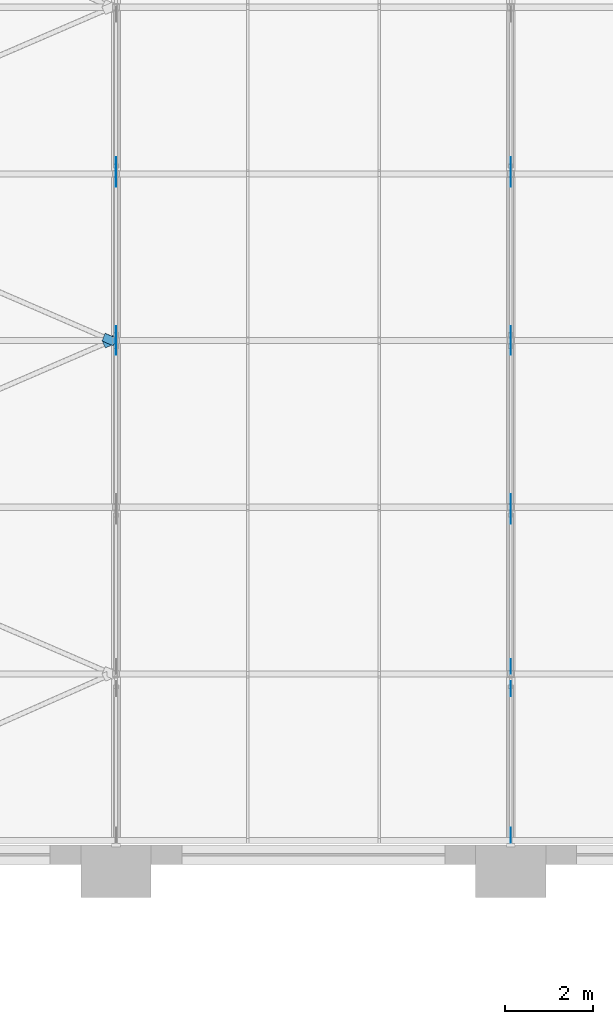
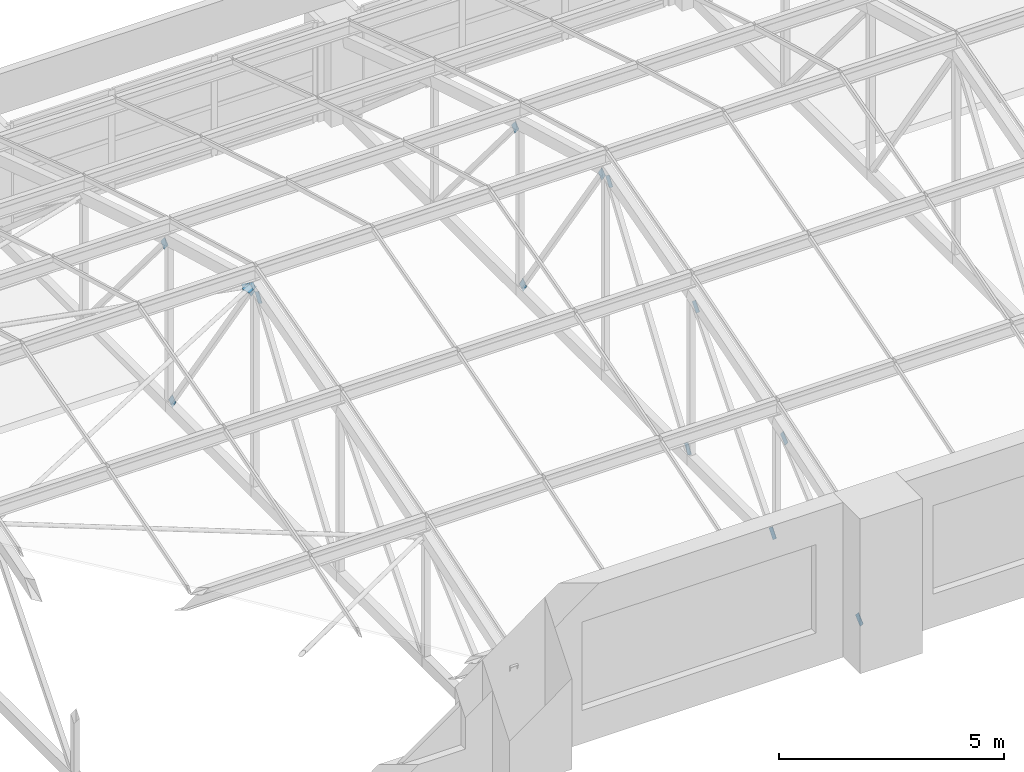
# One storey, part 69 of 82: 15 discrete accessories.
"""IFC4 building model written with IfcOpenShell, lengths in metres."""

from ifc_helpers import new_model, si_unit, direction, frame, origin, place, context, subcontext, project, spatial, polyline, outline, extrude, material, layer, layer_set, type_object, element, save


model = new_model("IFC4")

# Units and contexts
model_context = context("Model", 3, precision=1e-05, world=origin(), true_north=direction((0.0, 1.0)))
body_context = subcontext(model_context, "Body", "Model", "MODEL_VIEW")
ifc_project = project(units=[si_unit("LENGTHUNIT", "METRE"), si_unit("AREAUNIT", "SQUARE_METRE"), si_unit("VOLUMEUNIT", "CUBIC_METRE"), si_unit("PLANEANGLEUNIT", "RADIAN"), si_unit("MASSUNIT", "GRAM", prefix="KILO")], contexts=[model_context])

# Site, building, storey
site_placement = place(None, origin())
site = spatial("IfcSite", under=ifc_project, at=site_placement, CompositionType="ELEMENT")
building_placement = place(site_placement, origin())
building = spatial("IfcBuilding", under=site, at=building_placement, Name="Aravalli Gate Trade Fair Centre", CompositionType="ELEMENT")
storey_placement = place(building_placement, frame((0.0, 0.0, 19.199951171875)))
storey = spatial("IfcBuildingStorey", under=building, at=storey_placement, Name="L04", CompositionType="ELEMENT", Elevation=19.199951171875)

# Discrete accessories
ifc_material = material(Name="Steel E350", Category="steel")
ifc_layer = layer(ifc_material, 0.010009765625)
ifc_layer_set = layer_set([ifc_layer], Name="Steel E350")
discrete_accessory_type = type_object("IfcDiscreteAccessoryType", Name="Gusset plate 200 x 200 x 10", PredefinedType="USERDEFINED", material=ifc_layer_set)
discrete_accessory_1_placement = place(storey_placement, frame((77.9951171875, 120.77392578125, 5.423828125), z_axis=(-1.0, 0.0, 0.0), x_axis=(0.0, 0.564121160258, 0.82569202282)))
element("IfcDiscreteAccessory", 1, at=discrete_accessory_1_placement, inside=storey, type_object=discrete_accessory_type, Name="Gusset plate Concourse vault truss CT1 line 09 diagonal D3 end B", ObjectType="GUSSET PLATE", PredefinedType="USERDEFINED", context=body_context, shape_type="SweptSolid", body=[
    extrude(outline(polyline([(0.0, 0.0), (0.2800089688227054, -2.7755575615628914e-17), (0.2801803266875835, 0.19976261286755298), (0.00010749779101053292, 0.20010192272670302), (0.0, 0.0)])), origin(), (0.0, 0.0, -1.0), 0.010009765625),
])
discrete_accessory_2_placement = place(storey_placement, frame((77.9951171875, 121.2607421875, 5.31103515625), z_axis=(-1.0, 0.0, 0.0), x_axis=(0.0, -0.563120416317, 0.826374852429)))
element("IfcDiscreteAccessory", 2, at=discrete_accessory_2_placement, inside=storey, type_object=discrete_accessory_type, Name="Gusset plate Concourse vault truss CT1 line 09 diagonal D4 end A", ObjectType="GUSSET PLATE", PredefinedType="USERDEFINED", context=body_context, shape_type="SweptSolid", body=[
    extrude(outline(polyline([(0.0, 0.0), (0.28007303443443027, 0.0), (0.2800062095132191, 0.19996442554114646), (0.00013492675174497926, 0.20010190611153644), (0.0, 0.0)])), origin(), (0.0, 0.0, -1.0), 0.010009765625),
])
discrete_accessory_3_placement = place(storey_placement, frame((78.0048828125, 124.602294921875, 0.408935546875), z_axis=(1.0, 0.0, 0.0), x_axis=(0.0, 0.563526286674, -0.826098132323)))
element("IfcDiscreteAccessory", 3, at=discrete_accessory_3_placement, inside=storey, type_object=discrete_accessory_type, Name="Gusset plate Concourse vault truss CT1 line 09 diagonal D4 end B", ObjectType="GUSSET PLATE", PredefinedType="USERDEFINED", context=body_context, shape_type="SweptSolid", body=[
    extrude(outline(polyline([(0.0, 0.0), (0.279871316528615, 0.0), (0.2800363695260922, 0.19996436858870342), (-3.6631116859461854e-05, 0.20010194824853597), (0.0, 0.0)])), origin(), (0.0, 0.0, -1.0), 0.010009765625),
])
discrete_accessory_4_placement = place(storey_placement, frame((77.9951171875, 125.128662109375, 4.24560546875), z_axis=(-1.0, 0.0, 0.0), x_axis=(0.0, -0.643008166301, 0.765859320025)))
element("IfcDiscreteAccessory", 4, at=discrete_accessory_4_placement, inside=storey, type_object=discrete_accessory_type, Name="Gusset plate Concourse vault truss CT1 line 09 diagonal D5 end A", ObjectType="GUSSET PLATE", PredefinedType="USERDEFINED", context=body_context, shape_type="SweptSolid", body=[
    extrude(outline(polyline([(0.0, 0.0), (0.28020760962713065, 0.0), (0.2803154566443524, 0.19996559992596197), (0.00010784701722174606, 0.19996559992596197), (0.0, 0.0)])), origin(), (0.0, 0.0, -1.0), 0.010009765625),
])
discrete_accessory_5_placement = place(storey_placement, frame((86.9951171875, 109.990234375, 0.355224609375), z_axis=(-1.0, 0.0, 0.0), x_axis=(0.0, -0.756666176812, -0.653801420057)))
element("IfcDiscreteAccessory", 5, at=discrete_accessory_5_placement, inside=storey, type_object=discrete_accessory_type, Name="Gusset plate Concourse vault truss CT1 line 10 diagonal D1 end A", ObjectType="GUSSET PLATE", PredefinedType="USERDEFINED", context=body_context, shape_type="SweptSolid", body=[
    extrude(outline(polyline([(0.0, 0.0), (0.28006281897354945, 0.0), (0.28009048635135136, 0.1997461238225559), (5.27808438066657e-05, 0.2000904762631978), (0.0, 0.0)])), origin(), (0.0, 0.0, -1.0), 0.010009765625),
])
discrete_accessory_6_placement = place(storey_placement, frame((86.9951171875, 112.988525390625, 3.212158203125), z_axis=(-1.0, 0.0, 0.0), x_axis=(0.0, 0.756293179151, 0.654232853937)))
element("IfcDiscreteAccessory", 6, at=discrete_accessory_6_placement, inside=storey, type_object=discrete_accessory_type, Name="Gusset plate Concourse vault truss CT1 line 10 diagonal D1 end B", ObjectType="GUSSET PLATE", PredefinedType="USERDEFINED", context=body_context, shape_type="SweptSolid", body=[
    extrude(outline(polyline([(0.0, 0.0), (0.2798781315371493, 0.0), (0.27981679720709274, 0.20009047382409476), (-6.133433005656164e-05, 0.20009047382409473), (0.0, 0.0)])), origin(), (0.0, 0.0, -1.0), 0.010009765625),
])
discrete_accessory_7_placement = place(storey_placement, frame((87.0048828125, 113.677978515625, 0.517578125), z_axis=(1.0, 0.0, 0.0), x_axis=(0.0, -0.642926085547, -0.765928226744)))
element("IfcDiscreteAccessory", 7, at=discrete_accessory_7_placement, inside=storey, type_object=discrete_accessory_type, Name="Gusset plate Concourse vault truss CT1 line 10 diagonal D2 end A", ObjectType="GUSSET PLATE", PredefinedType="USERDEFINED", context=body_context, shape_type="SweptSolid", body=[
    extrude(outline(polyline([(0.0, 0.0), (0.2798636494456477, 2.7755575615628914e-17), (0.2799929267542597, 0.1999655872196676), (-2.768706774226859e-05, 0.20015258141565), (0.0, 0.0)])), origin(), (0.0, 0.0, -1.0), 0.010009765625),
])
discrete_accessory_8_placement = place(storey_placement, frame((86.9951171875, 116.918212890625, 4.374267578125), z_axis=(-1.0, 0.0, 0.0), x_axis=(0.0, 0.643008166301, 0.765859320025)))
element("IfcDiscreteAccessory", 8, at=discrete_accessory_8_placement, inside=storey, type_object=discrete_accessory_type, Name="Gusset plate Concourse vault truss CT1 line 10 diagonal D2 end B", ObjectType="GUSSET PLATE", PredefinedType="USERDEFINED", context=body_context, shape_type="SweptSolid", body=[
    extrude(outline(polyline([(0.0, 0.0), (0.28020760962713065, 0.0), (0.2802567470255098, 0.2001525772990151), (-0.00010784701722174606, 0.19996559992596197), (0.0, 0.0)])), origin(), (0.0, 0.0, -1.0), 0.010009765625),
])
discrete_accessory_9_placement = place(storey_placement, frame((87.0048828125, 117.432373046875, 0.521728515625), z_axis=(1.0, 0.0, 0.0), x_axis=(0.0, -0.563120416317, -0.826374852429)))
element("IfcDiscreteAccessory", 9, at=discrete_accessory_9_placement, inside=storey, type_object=discrete_accessory_type, Name="Gusset plate Concourse vault truss CT1 line 10 diagonal D3 end A", ObjectType="GUSSET PLATE", PredefinedType="USERDEFINED", context=body_context, shape_type="SweptSolid", body=[
    extrude(outline(polyline([(0.0, 0.0), (0.28007303443443027, 0.0), (0.2800062095132191, 0.19996442554114646), (0.00013492675174497926, 0.20010190611153644), (0.0, 0.0)])), origin(), (0.0, 0.0, -1.0), 0.010009765625),
])
discrete_accessory_10_placement = place(storey_placement, frame((86.9951171875, 120.77392578125, 5.423828125), z_axis=(-1.0, 0.0, 0.0), x_axis=(0.0, 0.564121160258, 0.82569202282)))
element("IfcDiscreteAccessory", 10, at=discrete_accessory_10_placement, inside=storey, type_object=discrete_accessory_type, Name="Gusset plate Concourse vault truss CT1 line 10 diagonal D3 end B", ObjectType="GUSSET PLATE", PredefinedType="USERDEFINED", context=body_context, shape_type="SweptSolid", body=[
    extrude(outline(polyline([(0.0, 0.0), (0.2800089688227054, -2.7755575615628914e-17), (0.2801803266875835, 0.19976261286755298), (0.00010749779101053292, 0.20010192272670302), (0.0, 0.0)])), origin(), (0.0, 0.0, -1.0), 0.010009765625),
])
discrete_accessory_11_placement = place(storey_placement, frame((86.9951171875, 121.2607421875, 5.31103515625), z_axis=(-1.0, 0.0, 0.0), x_axis=(0.0, -0.563120416317, 0.826374852429)))
element("IfcDiscreteAccessory", 11, at=discrete_accessory_11_placement, inside=storey, type_object=discrete_accessory_type, Name="Gusset plate Concourse vault truss CT1 line 10 diagonal D4 end A", ObjectType="GUSSET PLATE", PredefinedType="USERDEFINED", context=body_context, shape_type="SweptSolid", body=[
    extrude(outline(polyline([(0.0, 0.0), (0.28007303443443027, 0.0), (0.2800062095132191, 0.19996442554114646), (0.00013492675174497926, 0.20010190611153644), (0.0, 0.0)])), origin(), (0.0, 0.0, -1.0), 0.010009765625),
])
discrete_accessory_12_placement = place(storey_placement, frame((87.0048828125, 124.602294921875, 0.408935546875), z_axis=(1.0, 0.0, 0.0), x_axis=(0.0, 0.563526286674, -0.826098132323)))
element("IfcDiscreteAccessory", 12, at=discrete_accessory_12_placement, inside=storey, type_object=discrete_accessory_type, Name="Gusset plate Concourse vault truss CT1 line 10 diagonal D4 end B", ObjectType="GUSSET PLATE", PredefinedType="USERDEFINED", context=body_context, shape_type="SweptSolid", body=[
    extrude(outline(polyline([(0.0, 0.0), (0.279871316528615, 0.0), (0.2800363695260922, 0.19996436858870342), (-3.6631116859461854e-05, 0.20010194824853597), (0.0, 0.0)])), origin(), (0.0, 0.0, -1.0), 0.010009765625),
])
discrete_accessory_13_placement = place(storey_placement, frame((86.9951171875, 125.128662109375, 4.24560546875), z_axis=(-1.0, 0.0, 0.0), x_axis=(0.0, -0.643008166301, 0.765859320025)))
element("IfcDiscreteAccessory", 13, at=discrete_accessory_13_placement, inside=storey, type_object=discrete_accessory_type, Name="Gusset plate Concourse vault truss CT1 line 10 diagonal D5 end A", ObjectType="GUSSET PLATE", PredefinedType="USERDEFINED", context=body_context, shape_type="SweptSolid", body=[
    extrude(outline(polyline([(0.0, 0.0), (0.28020760962713065, 0.0), (0.2803154566443524, 0.19996559992596197), (0.00010784701722174606, 0.19996559992596197), (0.0, 0.0)])), origin(), (0.0, 0.0, -1.0), 0.010009765625),
])
discrete_accessory_14_placement = place(storey_placement, frame((77.75830078125, 120.931884765625, 5.68310546875), z_axis=(-0.000188254578, -0.266138794278, 0.963934700455), x_axis=(0.912632577722, 0.393992287612, 0.108958044141)))
element("IfcDiscreteAccessory", 14, at=discrete_accessory_14_placement, inside=storey, type_object=discrete_accessory_type, Name="Gusset plate Vault plan brace 8.3 end B", ObjectType="GUSSET PLATE", PredefinedType="USERDEFINED", context=body_context, shape_type="SweptSolid", body=[
    extrude(outline(polyline([(0.0, 0.0), (0.2800855904279852, -2.168404344971009e-17), (0.2800902722189444, 0.2000861637406073), (4.681790959162185e-06, 0.2000861637406073), (0.0, 0.0)])), origin(), (0.0, 0.0, -1.0), 0.010009765625),
])
discrete_accessory_15_placement = place(storey_placement, frame((77.68212890625, 121.08935546875, 5.6748046875), z_axis=(-0.224070297062, -0.259222002239, 0.939466048098), x_axis=(0.912632577722, -0.393992287612, 0.108958044141)))
element("IfcDiscreteAccessory", 15, at=discrete_accessory_15_placement, inside=storey, type_object=discrete_accessory_type, Name="Gusset plate Vault plan brace 8.4 end B", ObjectType="GUSSET PLATE", PredefinedType="USERDEFINED", context=body_context, shape_type="SweptSolid", body=[
    extrude(outline(polyline([(0.0, 0.0), (0.2800855904279852, 3.469446951953614e-18), (0.28009963580086267, 0.19990332124789822), (1.4045372877501301e-05, 0.19990332124789822), (0.0, 0.0)])), origin(), (0.0, 0.0, -1.0), 0.010009765625),
])

save(model, "model.ifc")
